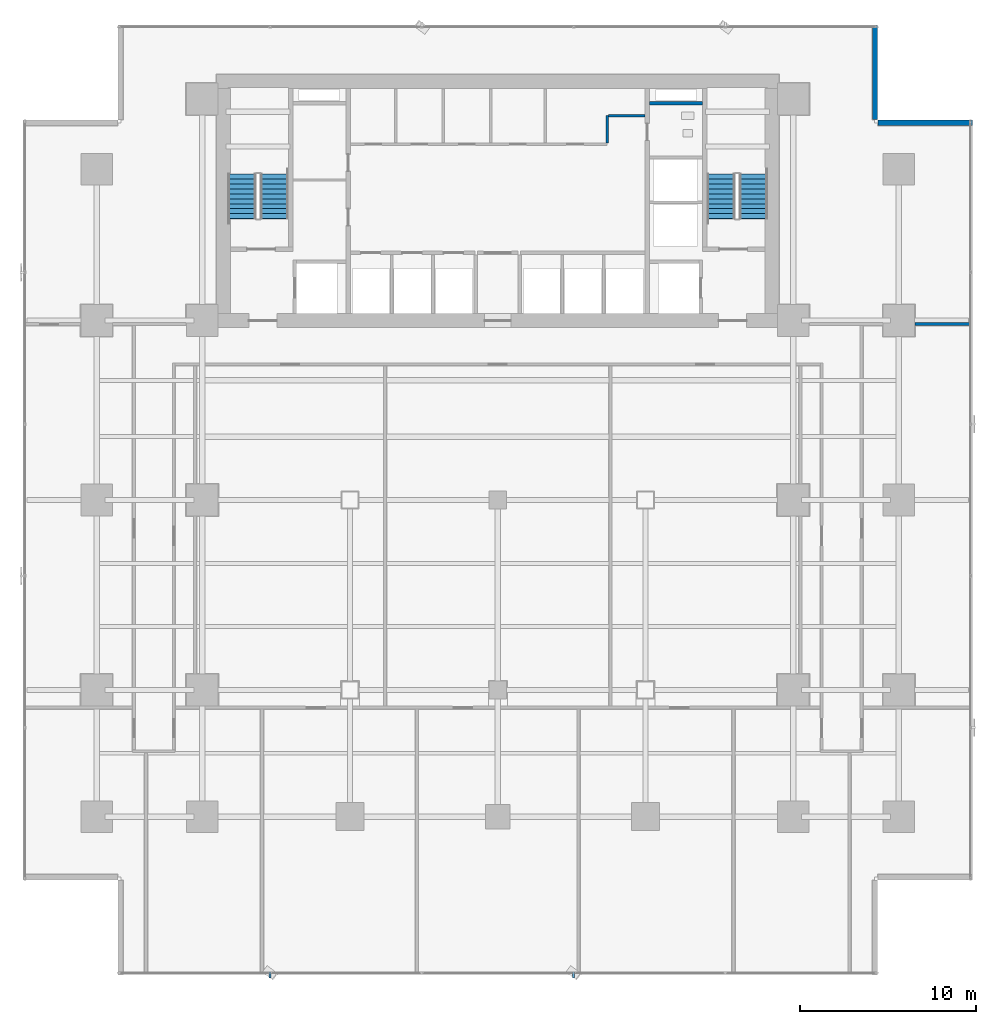
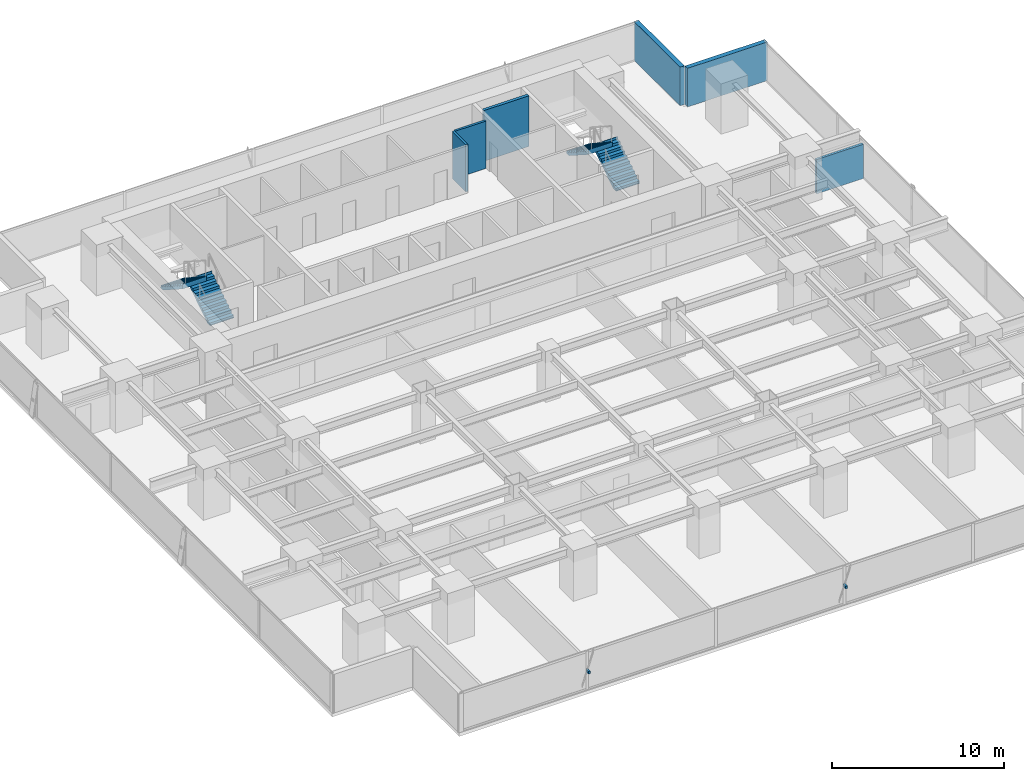
# One storey, part 27 of 33: 6 walls, 4 stair flights, 2 discrete accessories, 2 elements without a shape of their own.
"""IFC4 building model written with IfcOpenShell, lengths in metres."""

from ifc_helpers import new_model, si_unit, direction, frame, frame_2d, origin, origin_2d, place, context, subcontext, project, spatial, polyline, rectangle, outline, extrude, source, transform, mapped, material, layer, layer_set, material_profile, profile_set, type_object, element, aggregate, save


model = new_model("IFC4")

# Units and contexts
model_context = context("Model", 3, precision=1e-05, world=origin(), true_north=direction((0.0, 1.0)))
body_context = subcontext(model_context, "Body", "Model", "MODEL_VIEW")
ifc_project = project(units=[si_unit("LENGTHUNIT", "METRE"), si_unit("AREAUNIT", "SQUARE_METRE"), si_unit("VOLUMEUNIT", "CUBIC_METRE"), si_unit("PLANEANGLEUNIT", "RADIAN"), si_unit("MASSUNIT", "GRAM", prefix="KILO")], contexts=[model_context])

# Site, building, storey
site_placement = place(None, origin())
site = spatial("IfcSite", under=ifc_project, at=site_placement, CompositionType="ELEMENT")
building_placement = place(site_placement, origin())
building = spatial("IfcBuilding", under=site, at=building_placement, Name="Sumidabori Civic Tower", CompositionType="ELEMENT")
storey_placement = place(building_placement, frame((0.0, 0.0, 59.60009765625)))
storey = spatial("IfcBuildingStorey", under=building, at=storey_placement, Name="L15", CompositionType="ELEMENT", Elevation=59.60009765625)

# Walls
ifc_material_1 = material(Name="Concrete C50/60", Category="concrete")
ifc_layer_1 = layer(ifc_material_1, 0.199951171875, Name="Concrete C50/60")
ifc_layer_set_1 = layer_set([ifc_layer_1], Name="Concrete C50/60")
wall_type_1 = type_object("IfcWallType", Name="WL-SHAFT-200", PredefinedType="SHEAR", material=ifc_layer_set_1)
shared_shape_1 = source(origin(), body_context, "Body", "SweptSolid", [
    extrude(rectangle(XDim=3.02001953125, YDim=0.199951171875, at=frame_2d((1.510009765625, 0.0))), origin(), (0.0, 0.0, 1.0), 3.599853515625),
])
wall_1_placement = place(storey_placement, frame((8.625, 22.550048828125, 0.0), z_axis=(0.0, 0.0, 1.0), x_axis=(1.0, 0.0, 0.0)))
element("IfcWall", 1, at=wall_1_placement, inside=storey, type_object=wall_type_1, Name="Core Shear Wall L15 RIS2-S", PredefinedType="SHEAR", context=body_context, shape_type="MappedRepresentation", body=[
    mapped(shared_shape_1, transform((0.0, 0.0, 0.0), x_axis=(1.0, 0.0, 0.0), y_axis=(0.0, 1.0, 0.0), z_axis=(0.0, 0.0, 1.0), scale=1.0)),
])
ifc_material_2 = material(Name="Precast concrete C40/50", Category="concrete")
ifc_layer_2 = layer(ifc_material_2, 0.300048828125, Name="Precast concrete C40/50")
ifc_layer_set_2 = layer_set([ifc_layer_2], Name="Precast concrete C40/50")
wall_type_2 = type_object("IfcWallType", Name="WL-EXT-POD300", PredefinedType="STANDARD", material=ifc_layer_set_2)
shared_shape_2 = source(origin(), body_context, "Body", "SweptSolid", [
    extrude(rectangle(XDim=5.35986328125, YDim=0.300048828125, at=frame_2d((2.679931640625, 0.0))), origin(), (0.0, 0.0, 1.0), 2.739990234375),
])
for number, where, z_axis, x_axis, name in (
    (2, (26.97998046875, 21.449951171875, 0.0), (0.0, 0.0, 1.0), (-1.0, 0.0, 0.0), "Notched Corner Spandrel Band L15-05"),
    (3, (21.449951171875, 21.6201171875, 0.0), (0.0, 0.0, 1.0), (0.0, 1.0, 0.0), "Notched Corner Spandrel Band L15-06"),
):
    element("IfcWall", number, at=place(storey_placement, frame(where, z_axis=z_axis, x_axis=x_axis)), inside=storey, type_object=wall_type_2, Name=name, PredefinedType="STANDARD", context=body_context, shape_type="MappedRepresentation", body=[
        mapped(shared_shape_2, transform((0.0, 0.0, 0.0), x_axis=(1.0, 0.0, 0.0), y_axis=(0.0, 1.0, 0.0), z_axis=(0.0, 0.0, 1.0), scale=1.0)),
    ])
ifc_material_3 = material(Name="Gypsum Plasterboard Acoustic Partition")
ifc_layer_3 = layer(ifc_material_3, 0.14990234375, Name="Gypsum Plasterboard Acoustic Partition")
ifc_layer_set_3 = layer_set([ifc_layer_3], Name="Gypsum Plasterboard Acoustic Partition")
wall_type_3 = type_object("IfcWallType", Name="WL-PART-150", PredefinedType="PARTITIONING", material=ifc_layer_set_3)
shared_shape_3 = source(origin(), body_context, "Body", "SweptSolid", [
    extrude(rectangle(XDim=1.550048828125, YDim=0.14990234375, at=frame_2d((0.77490234375, 0.0))), origin(), (0.0, 0.0, 1.0), 3.35986328125),
])
wall_2_placement = place(storey_placement, frame((6.219970703125, 20.300048828125, 0.0), z_axis=(0.0, 0.0, 1.0), x_axis=(0.0, 1.0, 0.0)))
element("IfcWall", 4, at=wall_2_placement, inside=storey, type_object=wall_type_3, Name="Interior Partition WL:L15:CBAND-ME1", PredefinedType="PARTITIONING", context=body_context, shape_type="MappedRepresentation", body=[
    mapped(shared_shape_3, transform((0.0, 0.0, 0.0), x_axis=(1.0, 0.0, 0.0), y_axis=(0.0, 1.0, 0.0), z_axis=(0.0, 0.0, 1.0), scale=1.0)),
])
shared_shape_4 = source(origin(), body_context, "Body", "SweptSolid", [
    extrude(rectangle(XDim=2.070068359375, YDim=0.14990234375, at=frame_2d((1.03515625, 0.0))), origin(), (0.0, 0.0, 1.0), 3.35986328125),
])
wall_3_placement = place(storey_placement, frame((6.300048828125, 21.85009765625, 0.0), z_axis=(0.0, 0.0, 1.0), x_axis=(1.0, 0.0, 0.0)))
element("IfcWall", 5, at=wall_3_placement, inside=storey, type_object=wall_type_3, Name="Interior Partition WL:L15:CBAND-ME2", PredefinedType="PARTITIONING", context=body_context, shape_type="MappedRepresentation", body=[
    mapped(shared_shape_4, transform((0.0, 0.0, 0.0), x_axis=(1.0, 0.0, 0.0), y_axis=(0.0, 1.0, 0.0), z_axis=(0.0, 0.0, 1.0), scale=1.0)),
])
ifc_layer_4 = layer(ifc_material_3, 0.1650390625, Name="Gypsum Plasterboard Acoustic Partition")
ifc_layer_set_4 = layer_set([ifc_layer_4], Name="Gypsum Plasterboard Acoustic Partition")
wall_type_4 = type_object("IfcWallType", Name="WL-PART-165", PredefinedType="PARTITIONING", material=ifc_layer_set_4)
shared_shape_5 = source(origin(), body_context, "Body", "SweptSolid", [
    extrude(rectangle(XDim=3.14013671875, YDim=0.1650390625, at=frame_2d((1.570068359375, 0.0))), origin(), (0.0, 0.0, 1.0), 2.434814453125),
])
wall_4_placement = place(storey_placement, frame((23.7099609375, 10.0, 0.0), z_axis=(0.0, 0.0, 1.0), x_axis=(1.0, 0.0, 0.0)))
element("IfcWall", 6, at=wall_4_placement, inside=storey, type_object=wall_type_4, Name="Interior Partition WL:L15:FLK-NE-2", PredefinedType="PARTITIONING", context=body_context, shape_type="MappedRepresentation", body=[
    mapped(shared_shape_5, transform((0.0, 0.0, 0.0), x_axis=(1.0, 0.0, 0.0), y_axis=(0.0, 1.0, 0.0), z_axis=(0.0, 0.0, 1.0), scale=1.0)),
])

# Stair, stair flights
ifc_material_4 = material(Name="Concrete C40/50", Category="concrete")
stair_type = type_object("IfcStairType", Name="ST-CORE-1600", PredefinedType="HALF_TURN_STAIR", material=ifc_material_4)
stair_1_placement = place(storey_placement, origin())
stair_1 = element("IfcStair", 7, at=stair_1_placement, inside=storey, type_object=stair_type, Name="L15 ST-1", PredefinedType="HALF_TURN_STAIR")
stair_flight_type = type_object("IfcStairFlightType", Name="SF-CORE-1600", PredefinedType="STRAIGHT", material=ifc_material_4)
shared_shape_6 = source(origin(), body_context, "Body", "SweptSolid", [
    extrude(outline(polyline([(-0.02490234375, 0.0), (-0.02490234375, 0.0400390625), (0.0, 0.0400390625), (0.0, 0.179931640625), (0.280029296875, 0.179931640625), (0.280029296875, 0.360107421875), (0.56005859375, 0.360107421875), (0.56005859375, 0.5400390625), (0.840087890625, 0.5400390625), (0.840087890625, 0.719970703125), (1.1201171875, 0.719970703125), (1.1201171875, 0.89990234375), (1.39990234375, 0.89990234375), (1.39990234375, 1.080078125), (1.679931640625, 1.080078125), (1.679931640625, 1.260009765625), (1.9599609375, 1.260009765625), (1.9599609375, 1.43994140625), (2.239990234375, 1.43994140625), (2.239990234375, 1.6201171875), (2.52001953125, 1.6201171875), (2.52001953125, 1.800048828125), (2.544921875, 1.800048828125), (2.544921875, 1.650146484375), (2.52001953125, 1.44189453125), (0.277099609375, 0.0), (-0.02490234375, 0.0)])), frame((0.0, 0.800048828125, 0.0), z_axis=(0.0, -1.0, 0.0), x_axis=(1.0, 0.0, 0.0)), (0.0, 0.0, 1.0), 1.60009765625),
])
stair_flight_1_placement = place(storey_placement, frame((-12.699951171875, 16.0, 0.0), z_axis=(0.0, 0.0, 1.0), x_axis=(0.0, 1.0, 0.0)))
stair_flight_1 = element("IfcStairFlight", 8, at=stair_flight_1_placement, type_object=stair_flight_type, Name="ST-1 flight 1", NumberOfRisers=10, NumberOfTreads=9, PredefinedType="STRAIGHT", RiserHeight=0.18, TreadLength=0.28, context=body_context, shape_type="MappedRepresentation", body=[
    mapped(shared_shape_6, transform((0.0, 0.0, 0.0), x_axis=(1.0, 0.0, 0.0), y_axis=(0.0, 1.0, 0.0), z_axis=(0.0, 0.0, 1.0), scale=1.0)),
])
stair_flight_2_placement = place(storey_placement, frame((-14.5400390625, 18.52001953125, 1.7998046875), z_axis=(0.0, 0.0, 1.0), x_axis=(0.0, -1.0, 0.0)))
stair_flight_2 = element("IfcStairFlight", 9, at=stair_flight_2_placement, type_object=stair_flight_type, Name="ST-1 flight 2", NumberOfRisers=10, NumberOfTreads=9, PredefinedType="STRAIGHT", RiserHeight=0.18, TreadLength=0.28, context=body_context, shape_type="MappedRepresentation", body=[
    mapped(shared_shape_6, transform((0.0, 0.0, 0.0), x_axis=(1.0, 0.0, 0.0), y_axis=(0.0, 1.0, 0.0), z_axis=(0.0, 0.0, 1.0), scale=1.0)),
])
aggregate(stair_1, [stair_flight_1, stair_flight_2])

stair_2_placement = place(storey_placement, origin())
stair_2 = element("IfcStair", 10, at=stair_2_placement, inside=storey, type_object=stair_type, Name="L15 ST-2", PredefinedType="HALF_TURN_STAIR")
stair_flight_3_placement = place(storey_placement, frame((14.5400390625, 16.0, 0.0), z_axis=(0.0, 0.0, 1.0), x_axis=(0.0, 1.0, 0.0)))
stair_flight_3 = element("IfcStairFlight", 11, at=stair_flight_3_placement, type_object=stair_flight_type, Name="ST-2 flight 1", NumberOfRisers=10, NumberOfTreads=9, PredefinedType="STRAIGHT", RiserHeight=0.18, TreadLength=0.28, context=body_context, shape_type="MappedRepresentation", body=[
    mapped(shared_shape_6, transform((0.0, 0.0, 0.0), x_axis=(1.0, 0.0, 0.0), y_axis=(0.0, 1.0, 0.0), z_axis=(0.0, 0.0, 1.0), scale=1.0)),
])
stair_flight_4_placement = place(storey_placement, frame((12.699951171875, 18.52001953125, 1.7998046875), z_axis=(0.0, 0.0, 1.0), x_axis=(0.0, -1.0, 0.0)))
stair_flight_4 = element("IfcStairFlight", 12, at=stair_flight_4_placement, type_object=stair_flight_type, Name="ST-2 flight 2", NumberOfRisers=10, NumberOfTreads=9, PredefinedType="STRAIGHT", RiserHeight=0.18, TreadLength=0.28, context=body_context, shape_type="MappedRepresentation", body=[
    mapped(shared_shape_6, transform((0.0, 0.0, 0.0), x_axis=(1.0, 0.0, 0.0), y_axis=(0.0, 1.0, 0.0), z_axis=(0.0, 0.0, 1.0), scale=1.0)),
])
aggregate(stair_2, [stair_flight_3, stair_flight_4])

# Discrete accessories
ifc_material_5 = material(Name="Stainless Steel Hairline Finish", Category="steel")
ifc_material_profile = material_profile(ifc_material_5, rectangle(XDim=0.1201171875, YDim=0.179931640625, at=origin_2d()), Name="STEEL BRACKET 180x120")
ifc_profile_set = profile_set([ifc_material_profile], Name="Stainless Steel Hairline Finish")
discrete_accessory_type = type_object("IfcDiscreteAccessoryType", Name="AC-BRK-180", PredefinedType="BRACKET", material=ifc_profile_set)
shared_shape_7 = source(origin(), body_context, "Body", "SweptSolid", [
    extrude(rectangle(XDim=0.1201171875, YDim=0.179931640625, at=origin_2d()), origin(), (0.0, 0.0, 1.0), 0.329833984375),
])
for number, where, z_axis, x_axis, name in (
    (13, (-12.94189453125, -26.830078125, 1.35986328125), (0.0, -1.0, 0.0), (1.0, 0.0, 0.0), "Bronze Fin Fixing Bracket L15-01"),
    (14, (4.31396484375, -26.830078125, 1.35986328125), (0.0, -1.0, 0.0), (1.0, 0.0, 0.0), "Bronze Fin Fixing Bracket L15-03"),
):
    element("IfcDiscreteAccessory", number, at=place(storey_placement, frame(where, z_axis=z_axis, x_axis=x_axis)), inside=storey, type_object=discrete_accessory_type, Name=name, PredefinedType="BRACKET", context=body_context, shape_type="MappedRepresentation", body=[
        mapped(shared_shape_7, transform((0.0, 0.0, 0.0), x_axis=(1.0, 0.0, 0.0), y_axis=(0.0, 1.0, 0.0), z_axis=(0.0, 0.0, 1.0), scale=1.0)),
    ])

save(model, "model.ifc")
